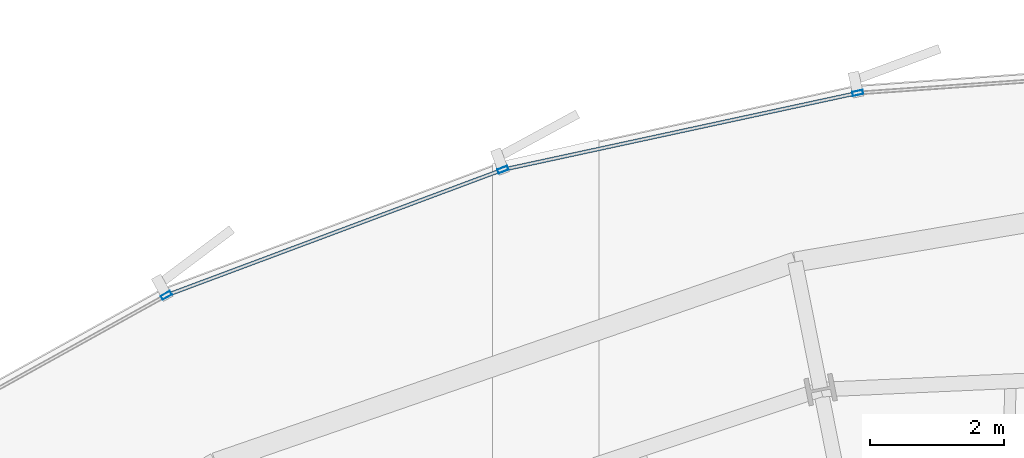
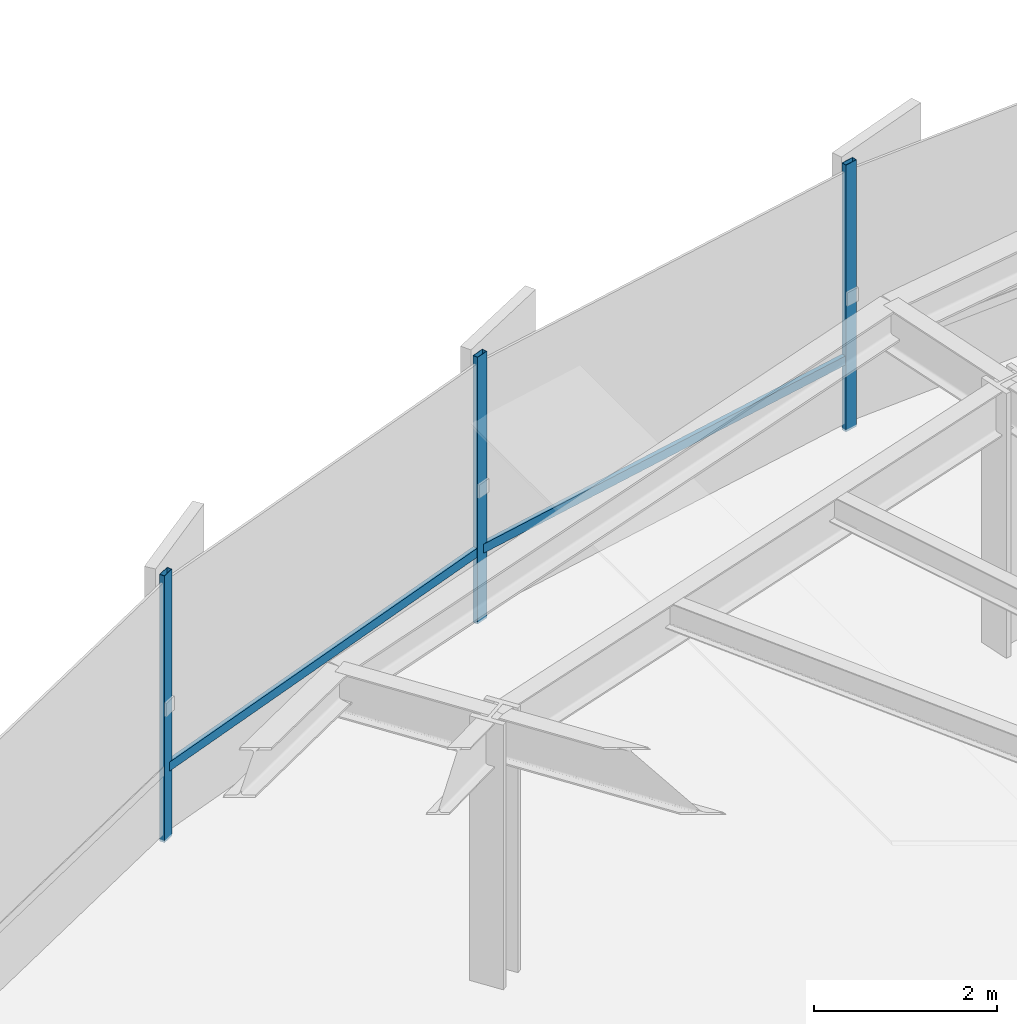
# One storey, part 22 of 38: 5 members, 1 element without a shape of its own.
"""IFC4 building model written with IfcOpenShell, lengths in metres."""

from ifc_helpers import new_model, si_unit, direction, frame, origin, origin_2d, place, context, subcontext, project, spatial, hollow_rectangle, extrude, source, transform, mapped, material, layer, layer_set, material_profile, profile_set, type_object, element, aggregate, save


model = new_model("IFC4")

# Units and contexts
model_context = context("Model", 3, precision=1e-05, world=origin(), true_north=direction((0.0, 1.0)))
body_context = subcontext(model_context, "Body", "Model", "MODEL_VIEW")
ifc_project = project(units=[si_unit("LENGTHUNIT", "METRE"), si_unit("AREAUNIT", "SQUARE_METRE"), si_unit("VOLUMEUNIT", "CUBIC_METRE"), si_unit("PLANEANGLEUNIT", "RADIAN"), si_unit("MASSUNIT", "GRAM", prefix="KILO"), si_unit("THERMODYNAMICTEMPERATUREUNIT", "KELVIN")], contexts=[model_context])

# Site, building, storey
site_placement = place(None, origin())
site = spatial("IfcSite", under=ifc_project, at=site_placement, CompositionType="ELEMENT")
building_placement = place(site_placement, origin())
building = spatial("IfcBuilding", under=site, at=building_placement, Name="Kethvar Cultural Tower", CompositionType="ELEMENT")
storey_placement = place(building_placement, frame((0.0, 0.0, 63.800048828125)))
storey = spatial("IfcBuildingStorey", under=building, at=storey_placement, Name="L15", CompositionType="ELEMENT", Elevation=63.800048828125)

# Curtain wall, members
ifc_material = material(Name="Aluminium 6063-T6", Category="aluminium")
ifc_layer = layer(ifc_material, 0.179931640625, Name="Aluminium 6063-T6", Category="aluminium")
ifc_layer_set = layer_set([ifc_layer], Name="Aluminium 6063-T6 (180 mm)")
curtain_wall_type = type_object("IfcCurtainWallType", Name="CW-SYS-02-Z1", PredefinedType="NOTDEFINED", material=ifc_layer_set)
curtain_wall_placement = place(storey_placement, origin())
curtain_wall = element("IfcCurtainWall", 1, at=curtain_wall_placement, inside=storey, type_object=curtain_wall_type, Name="L15 Curtain Wall Run 02", PredefinedType="NOTDEFINED")
ifc_material_profile_1 = material_profile(ifc_material, hollow_rectangle(XDim=0.06494140625, YDim=0.159912109375, WallThickness=0.0048828125, at=origin_2d()), Name="Aluminium 6063-T6 — RHS160x65x5")
ifc_profile_set_1 = profile_set([ifc_material_profile_1], Name="Aluminium 6063-T6 — RHS160x65x5")
member_type_1 = type_object("IfcMemberType", Name="CW-SYS-02-Z1-MUL", PredefinedType="MULLION", material=ifc_profile_set_1)
shared_shape_1 = source(origin(), body_context, "Body", "SweptSolid", [
    extrude(hollow_rectangle(XDim=0.06494140625, YDim=0.159912109375, WallThickness=0.0048828125, at=origin_2d()), origin(), (0.0, 0.0, 1.0), 3.550048828125),
])
member_1_placement = place(storey_placement, frame((43.208251953125, 53.09765625, 0.0), z_axis=(0.0, 0.0, 1.0), x_axis=(0.211358914578, -0.977408517064, 0.0)))
member_1 = element("IfcMember", 2, at=member_1_placement, type_object=member_type_1, Name="CW-L15-R02 Mullion 4", PredefinedType="MULLION", context=body_context, shape_type="MappedRepresentation", body=[
    mapped(shared_shape_1, transform((0.0, 0.0, 0.0), scale=1.0)),
])
member_2_placement = place(storey_placement, frame((37.896484375, 51.9501953125, 0.0), z_axis=(0.0, 0.0, 1.0), x_axis=(0.350011197415, -0.936745515967, 0.0)))
member_2 = element("IfcMember", 3, at=member_2_placement, type_object=member_type_1, Name="CW-L15-R02 Mullion 5", PredefinedType="MULLION", context=body_context, shape_type="MappedRepresentation", body=[
    mapped(shared_shape_1, transform((0.0, 0.0, 0.0), scale=1.0)),
])
member_3_placement = place(storey_placement, frame((32.855712890625, 50.068115234375, 0.0), z_axis=(0.0, 0.0, 1.0), x_axis=(0.485114890576, -0.874450423376, 0.0)))
member_3 = element("IfcMember", 4, at=member_3_placement, type_object=member_type_1, Name="CW-L15-R02 Mullion 6", PredefinedType="MULLION", context=body_context, shape_type="MappedRepresentation", body=[
    mapped(shared_shape_1, transform((0.0, 0.0, 0.0), scale=1.0)),
])
ifc_material_profile_2 = material_profile(ifc_material, hollow_rectangle(XDim=0.054931640625, YDim=0.1201171875, WallThickness=0.00390625, at=origin_2d()), Name="Aluminium 6063-T6 — RHS120x55x4")
ifc_profile_set_2 = profile_set([ifc_material_profile_2], Name="Aluminium 6063-T6 — RHS120x55x4")
member_type_2 = type_object("IfcMemberType", Name="CW-SYS-02-Z1-TRN", PredefinedType="USERDEFINED", material=ifc_profile_set_2)
shared_shape_2 = source(origin(), body_context, "Body", "SweptSolid", [
    extrude(hollow_rectangle(XDim=0.054931640625, YDim=0.1201171875, WallThickness=0.00390625, at=origin_2d()), origin(), (0.0, 0.0, 1.0), 5.358154296875),
])
member_4_placement = place(storey_placement, frame((43.16259765625, 53.087646484375, 0.949951171875), z_axis=(-0.977405261519, -0.211373968961, 0.0), x_axis=(0.211373968961, -0.977405261519, 0.0)))
member_4 = element("IfcMember", 5, at=member_4_placement, type_object=member_type_2, Name="CW-L15-R02 Transom 4", ObjectType="TRANSOM", PredefinedType="USERDEFINED", context=body_context, shape_type="MappedRepresentation", body=[
    mapped(shared_shape_2, transform((0.0, 0.0, 0.0), scale=1.0)),
])
shared_shape_3 = source(origin(), body_context, "Body", "SweptSolid", [
    extrude(hollow_rectangle(XDim=0.054931640625, YDim=0.1201171875, WallThickness=0.00390625, at=origin_2d()), origin(), (0.0, 0.0, 1.0), 5.3046875),
])
member_5_placement = place(storey_placement, frame((37.8525390625, 51.933837890625, 0.949951171875), z_axis=(-0.936748387489, -0.350003512177, 0.0), x_axis=(0.350003512177, -0.936748387489, 0.0)))
member_5 = element("IfcMember", 6, at=member_5_placement, type_object=member_type_2, Name="CW-L15-R02 Transom 5", ObjectType="TRANSOM", PredefinedType="USERDEFINED", context=body_context, shape_type="MappedRepresentation", body=[
    mapped(shared_shape_3, transform((0.0, 0.0, 0.0), scale=1.0)),
])
aggregate(curtain_wall, [member_1, member_2, member_3, member_4, member_5])

save(model, "model.ifc")
